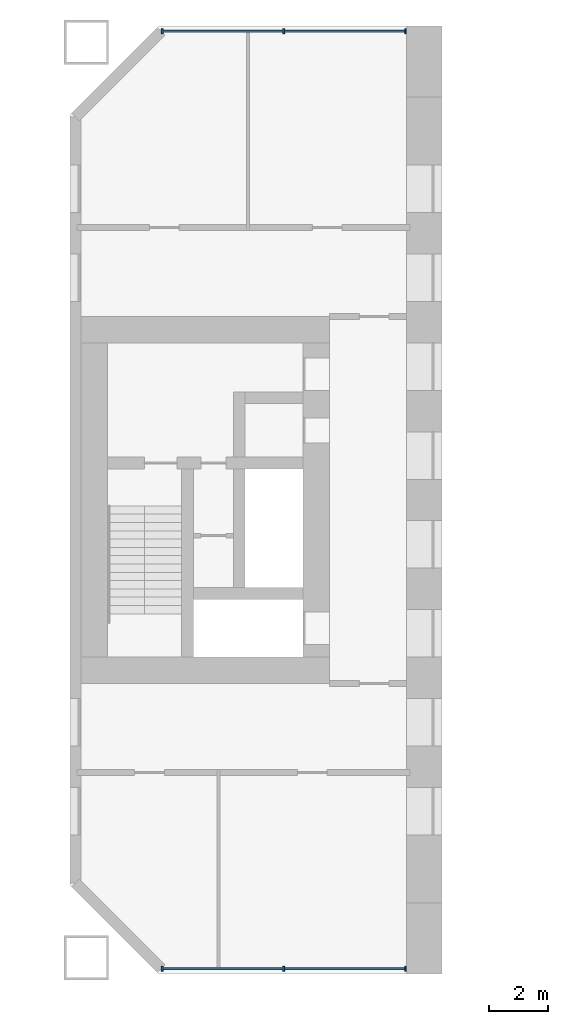
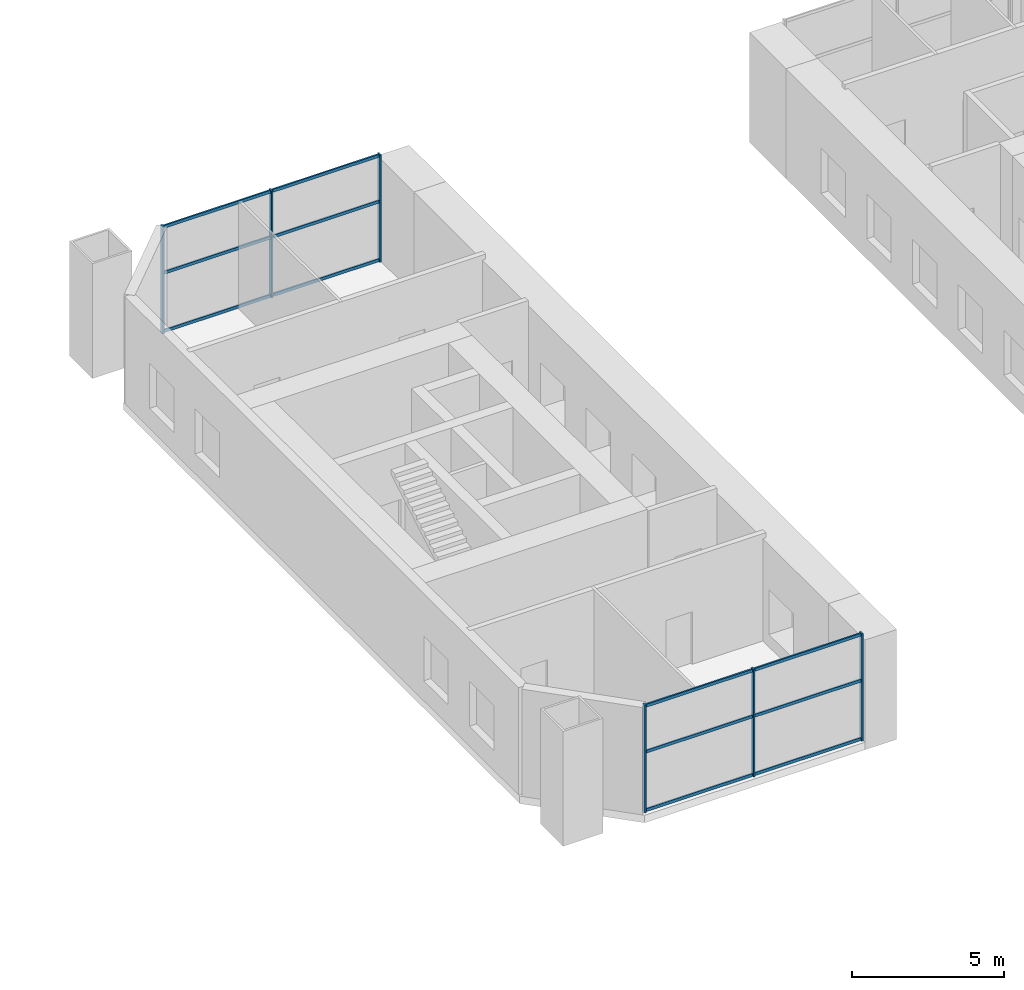
# One storey, part 5 of 19: 18 members, 2 elements without a shape of their own.
"""IFC4 building model written with IfcOpenShell, lengths in metres."""

from ifc_helpers import new_model, si_unit, direction, frame, origin, origin_2d, place, context, subcontext, project, spatial, rectangle, extrude, material, material_profile, profile_set, type_object, element, aggregate, save


model = new_model("IFC4")

# Units and contexts
model_context = context("Model", 3, precision=1e-05, world=origin(), true_north=direction((0.0, 1.0)))
body_context = subcontext(model_context, "Body", "Model", "MODEL_VIEW")
ifc_project = project(units=[si_unit("LENGTHUNIT", "METRE"), si_unit("AREAUNIT", "SQUARE_METRE"), si_unit("VOLUMEUNIT", "CUBIC_METRE"), si_unit("PLANEANGLEUNIT", "RADIAN"), si_unit("MASSUNIT", "GRAM", prefix="KILO")], contexts=[model_context])

# Site, building, storey
site_placement = place(None, origin())
site = spatial("IfcSite", under=ifc_project, at=site_placement, CompositionType="ELEMENT")
building_placement = place(site_placement, origin())
building = spatial("IfcBuilding", under=site, at=building_placement, Name="Tuart Gate Housing", CompositionType="ELEMENT")
storey_placement = place(building_placement, frame((0.0, 0.0, 10.10009765625)))
storey = spatial("IfcBuildingStorey", under=building, at=storey_placement, Name="L02", CompositionType="ELEMENT", Elevation=10.10009765625)

# Curtain wall, members
ifc_material_1 = material(Name="Aluminium and clear glass", Category="aluminium")
curtain_wall_type = type_object("IfcCurtainWallType", Name="Podium health glazing", PredefinedType="USERDEFINED", material=ifc_material_1)
curtain_wall_1_placement = place(storey_placement, origin())
curtain_wall_1 = element("IfcCurtainWall", 1, at=curtain_wall_1_placement, inside=storey, type_object=curtain_wall_type, Name="Podium health glazing B-S L02", ObjectType="PODIUM HEALTH GLAZING", PredefinedType="USERDEFINED")
ifc_material_2 = material(Name="Anodised aluminium", Category="aluminium")
ifc_material_profile_1 = material_profile(ifc_material_2, rectangle(XDim=0.06005859375, YDim=0.159912109375, at=origin_2d()), Name="60x160")
ifc_profile_set_1 = profile_set([ifc_material_profile_1], Name="Anodised aluminium")
member_type_1 = type_object("IfcMemberType", Name="Mullion 60 x 160", PredefinedType="MULLION", material=ifc_profile_set_1)
member_1_placement = place(storey_placement, frame((134.1044921875, 54.179931640625, 0.0), z_axis=(0.0, 0.0, 1.0), x_axis=(1.0, 0.0, 0.0)))
member_1 = element("IfcMember", 2, at=member_1_placement, type_object=member_type_1, Name="CW1 mullion 1", PredefinedType="MULLION", context=body_context, shape_type="SweptSolid", body=[
    extrude(rectangle(XDim=0.06005859375, YDim=0.159912109375, at=origin_2d()), origin(), (0.0, 0.0, 1.0), 4.2998046875),
])
member_2_placement = place(storey_placement, frame((138.21240234375, 54.179931640625, 0.0), z_axis=(0.0, 0.0, 1.0), x_axis=(1.0, 0.0, 0.0)))
member_2 = element("IfcMember", 3, at=member_2_placement, type_object=member_type_1, Name="CW1 mullion 2", PredefinedType="MULLION", context=body_context, shape_type="SweptSolid", body=[
    extrude(rectangle(XDim=0.06005859375, YDim=0.159912109375, at=origin_2d()), origin(), (0.0, 0.0, 1.0), 4.2998046875),
])
member_3_placement = place(storey_placement, frame((142.320068359375, 54.179931640625, 0.0), z_axis=(0.0, 0.0, 1.0), x_axis=(1.0, 0.0, 0.0)))
member_3 = element("IfcMember", 4, at=member_3_placement, type_object=member_type_1, Name="CW1 mullion 3", PredefinedType="MULLION", context=body_context, shape_type="SweptSolid", body=[
    extrude(rectangle(XDim=0.06005859375, YDim=0.159912109375, at=origin_2d()), origin(), (0.0, 0.0, 1.0), 4.2998046875),
])

curtain_wall_2_placement = place(storey_placement, origin())
curtain_wall_2 = element("IfcCurtainWall", 5, at=curtain_wall_2_placement, inside=storey, type_object=curtain_wall_type, Name="Podium health glazing B-N L02", ObjectType="PODIUM HEALTH GLAZING", PredefinedType="USERDEFINED")
member_4_placement = place(storey_placement, frame((142.320068359375, 85.820068359375, 0.0), z_axis=(0.0, 0.0, 1.0), x_axis=(-1.0, 0.0, 0.0)))
member_4 = element("IfcMember", 6, at=member_4_placement, type_object=member_type_1, Name="CW1 mullion 1", PredefinedType="MULLION", context=body_context, shape_type="SweptSolid", body=[
    extrude(rectangle(XDim=0.06005859375, YDim=0.159912109375, at=origin_2d()), origin(), (0.0, 0.0, 1.0), 4.2998046875),
])
member_5_placement = place(storey_placement, frame((138.212158203125, 85.820068359375, 0.0), z_axis=(0.0, 0.0, 1.0), x_axis=(-1.0, 0.0, 0.0)))
member_5 = element("IfcMember", 7, at=member_5_placement, type_object=member_type_1, Name="CW1 mullion 2", PredefinedType="MULLION", context=body_context, shape_type="SweptSolid", body=[
    extrude(rectangle(XDim=0.06005859375, YDim=0.159912109375, at=origin_2d()), origin(), (0.0, 0.0, 1.0), 4.2998046875),
])
member_6_placement = place(storey_placement, frame((134.1044921875, 85.820068359375, 0.0), z_axis=(0.0, 0.0, 1.0), x_axis=(-1.0, 0.0, 0.0)))
member_6 = element("IfcMember", 8, at=member_6_placement, type_object=member_type_1, Name="CW1 mullion 3", PredefinedType="MULLION", context=body_context, shape_type="SweptSolid", body=[
    extrude(rectangle(XDim=0.06005859375, YDim=0.159912109375, at=origin_2d()), origin(), (0.0, 0.0, 1.0), 4.2998046875),
])

# Member
ifc_material_3 = material(Name="Anodised aluminium", Category="aluminium")
ifc_material_profile_2 = material_profile(ifc_material_3, rectangle(XDim=0.06005859375, YDim=0.1201171875, at=origin_2d()), Name="60x120")
ifc_profile_set_2 = profile_set([ifc_material_profile_2], Name="Anodised aluminium")
member_type_2 = type_object("IfcMemberType", Name="Transom 60 x 120", PredefinedType="USERDEFINED", material=ifc_profile_set_2)
member_7_placement = place(storey_placement, frame((134.134521484375, 54.179931640625, 0.059814453125), z_axis=(1.0, 0.0, 0.0), x_axis=(0.0, 1.0, 0.0)))
member_7 = element("IfcMember", 9, at=member_7_placement, type_object=member_type_2, Name="CW1 transom 1.1", ObjectType="TRANSOM", PredefinedType="USERDEFINED", context=body_context, shape_type="SweptSolid", body=[
    extrude(rectangle(XDim=0.06005859375, YDim=0.1201171875, at=origin_2d()), origin(), (0.0, 0.0, 1.0), 4.0478515625),
])

member_8_placement = place(storey_placement, frame((134.134521484375, 54.179931640625, 2.39990234375), z_axis=(1.0, 0.0, 0.0), x_axis=(0.0, 1.0, 0.0)))
member_8 = element("IfcMember", 10, at=member_8_placement, type_object=member_type_2, Name="CW1 transom 1.2", ObjectType="TRANSOM", PredefinedType="USERDEFINED", context=body_context, shape_type="SweptSolid", body=[
    extrude(rectangle(XDim=0.06005859375, YDim=0.1201171875, at=origin_2d()), origin(), (0.0, 0.0, 1.0), 4.0478515625),
])

member_9_placement = place(storey_placement, frame((134.134521484375, 54.179931640625, 4.239990234375), z_axis=(1.0, 0.0, 0.0), x_axis=(0.0, 1.0, 0.0)))
member_9 = element("IfcMember", 11, at=member_9_placement, type_object=member_type_2, Name="CW1 transom 1.3", ObjectType="TRANSOM", PredefinedType="USERDEFINED", context=body_context, shape_type="SweptSolid", body=[
    extrude(rectangle(XDim=0.06005859375, YDim=0.1201171875, at=origin_2d()), origin(), (0.0, 0.0, 1.0), 4.0478515625),
])

member_10_placement = place(storey_placement, frame((138.2421875, 54.179931640625, 0.059814453125), z_axis=(1.0, 0.0, 0.0), x_axis=(0.0, 1.0, 0.0)))
member_10 = element("IfcMember", 12, at=member_10_placement, type_object=member_type_2, Name="CW1 transom 2.1", ObjectType="TRANSOM", PredefinedType="USERDEFINED", context=body_context, shape_type="SweptSolid", body=[
    extrude(rectangle(XDim=0.06005859375, YDim=0.1201171875, at=origin_2d()), origin(), (0.0, 0.0, 1.0), 4.0478515625),
])

member_11_placement = place(storey_placement, frame((138.2421875, 54.179931640625, 2.39990234375), z_axis=(1.0, 0.0, 0.0), x_axis=(0.0, 1.0, 0.0)))
member_11 = element("IfcMember", 13, at=member_11_placement, type_object=member_type_2, Name="CW1 transom 2.2", ObjectType="TRANSOM", PredefinedType="USERDEFINED", context=body_context, shape_type="SweptSolid", body=[
    extrude(rectangle(XDim=0.06005859375, YDim=0.1201171875, at=origin_2d()), origin(), (0.0, 0.0, 1.0), 4.0478515625),
])

member_12_placement = place(storey_placement, frame((138.2421875, 54.179931640625, 4.239990234375), z_axis=(1.0, 0.0, 0.0), x_axis=(0.0, 1.0, 0.0)))
member_12 = element("IfcMember", 14, at=member_12_placement, type_object=member_type_2, Name="CW1 transom 2.3", ObjectType="TRANSOM", PredefinedType="USERDEFINED", context=body_context, shape_type="SweptSolid", body=[
    extrude(rectangle(XDim=0.06005859375, YDim=0.1201171875, at=origin_2d()), origin(), (0.0, 0.0, 1.0), 4.0478515625),
])

aggregate(curtain_wall_1, [member_1, member_2, member_3, member_7, member_8, member_9, member_10, member_11, member_12])

member_13_placement = place(storey_placement, frame((142.2900390625, 85.820068359375, 0.059814453125), z_axis=(-1.0, 0.0, 0.0), x_axis=(0.0, -1.0, 0.0)))
member_13 = element("IfcMember", 15, at=member_13_placement, type_object=member_type_2, Name="CW1 transom 1.1", ObjectType="TRANSOM", PredefinedType="USERDEFINED", context=body_context, shape_type="SweptSolid", body=[
    extrude(rectangle(XDim=0.06005859375, YDim=0.1201171875, at=origin_2d()), origin(), (0.0, 0.0, 1.0), 4.0478515625),
])

member_14_placement = place(storey_placement, frame((142.2900390625, 85.820068359375, 2.39990234375), z_axis=(-1.0, 0.0, 0.0), x_axis=(0.0, -1.0, 0.0)))
member_14 = element("IfcMember", 16, at=member_14_placement, type_object=member_type_2, Name="CW1 transom 1.2", ObjectType="TRANSOM", PredefinedType="USERDEFINED", context=body_context, shape_type="SweptSolid", body=[
    extrude(rectangle(XDim=0.06005859375, YDim=0.1201171875, at=origin_2d()), origin(), (0.0, 0.0, 1.0), 4.0478515625),
])

member_15_placement = place(storey_placement, frame((142.2900390625, 85.820068359375, 4.239990234375), z_axis=(-1.0, 0.0, 0.0), x_axis=(0.0, -1.0, 0.0)))
member_15 = element("IfcMember", 17, at=member_15_placement, type_object=member_type_2, Name="CW1 transom 1.3", ObjectType="TRANSOM", PredefinedType="USERDEFINED", context=body_context, shape_type="SweptSolid", body=[
    extrude(rectangle(XDim=0.06005859375, YDim=0.1201171875, at=origin_2d()), origin(), (0.0, 0.0, 1.0), 4.0478515625),
])

member_16_placement = place(storey_placement, frame((138.18212890625, 85.820068359375, 0.059814453125), z_axis=(-1.0, 0.0, 0.0), x_axis=(0.0, -1.0, 0.0)))
member_16 = element("IfcMember", 18, at=member_16_placement, type_object=member_type_2, Name="CW1 transom 2.1", ObjectType="TRANSOM", PredefinedType="USERDEFINED", context=body_context, shape_type="SweptSolid", body=[
    extrude(rectangle(XDim=0.06005859375, YDim=0.1201171875, at=origin_2d()), origin(), (0.0, 0.0, 1.0), 4.047607421875),
])

member_17_placement = place(storey_placement, frame((138.18212890625, 85.820068359375, 2.39990234375), z_axis=(-1.0, 0.0, 0.0), x_axis=(0.0, -1.0, 0.0)))
member_17 = element("IfcMember", 19, at=member_17_placement, type_object=member_type_2, Name="CW1 transom 2.2", ObjectType="TRANSOM", PredefinedType="USERDEFINED", context=body_context, shape_type="SweptSolid", body=[
    extrude(rectangle(XDim=0.06005859375, YDim=0.1201171875, at=origin_2d()), origin(), (0.0, 0.0, 1.0), 4.047607421875),
])

member_18_placement = place(storey_placement, frame((138.18212890625, 85.820068359375, 4.239990234375), z_axis=(-1.0, 0.0, 0.0), x_axis=(0.0, -1.0, 0.0)))
member_18 = element("IfcMember", 20, at=member_18_placement, type_object=member_type_2, Name="CW1 transom 2.3", ObjectType="TRANSOM", PredefinedType="USERDEFINED", context=body_context, shape_type="SweptSolid", body=[
    extrude(rectangle(XDim=0.06005859375, YDim=0.1201171875, at=origin_2d()), origin(), (0.0, 0.0, 1.0), 4.047607421875),
])

aggregate(curtain_wall_2, [member_4, member_5, member_6, member_13, member_14, member_15, member_16, member_17, member_18])

save(model, "model.ifc")
